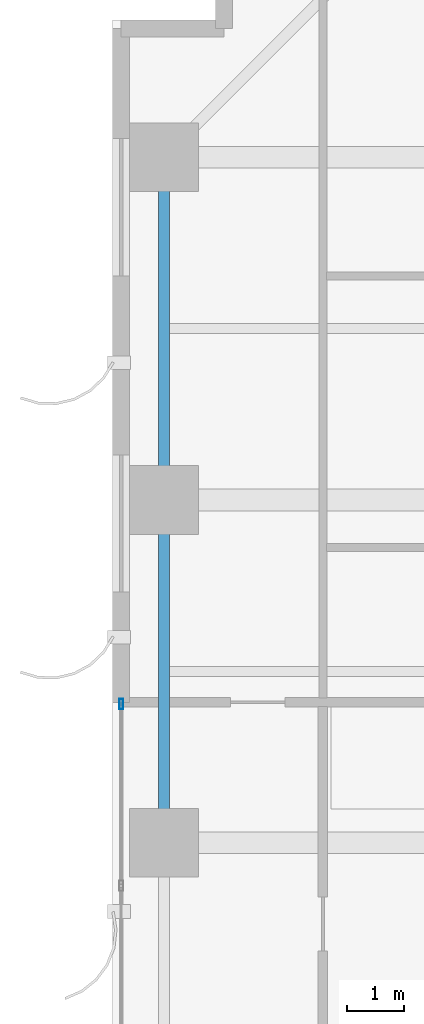
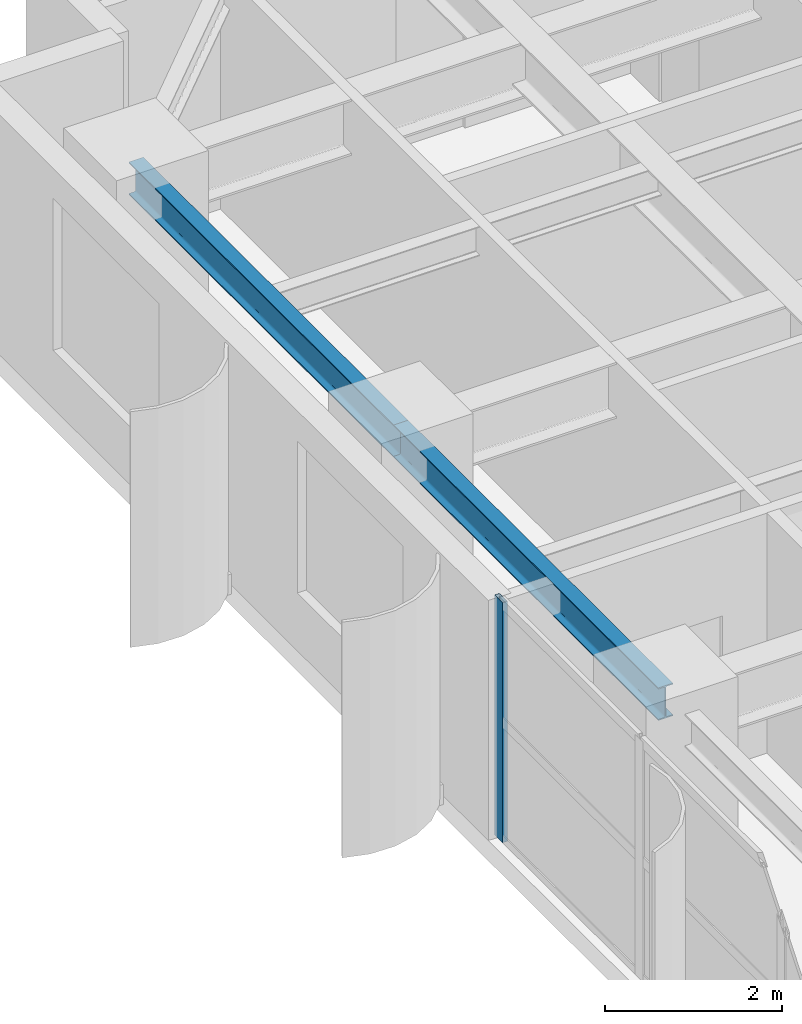
# One storey, part 6 of 18: 2 beams, 1 member, 1 element without a shape of its own.
"""IFC4 building model written with IfcOpenShell, lengths in metres."""

from ifc_helpers import new_model, si_unit, direction, frame, origin, origin_2d, place, context, subcontext, project, spatial, hollow_rectangle, i_section, extrude, source, transform, mapped, material, layer, layer_set, material_profile, profile_set, type_object, element, aggregate, save


model = new_model("IFC4")

# Units and contexts
model_context = context("Model", 3, precision=1e-05, world=origin(), true_north=direction((0.0, 1.0)))
body_context = subcontext(model_context, "Body", "Model", "MODEL_VIEW")
ifc_project = project(units=[si_unit("LENGTHUNIT", "METRE"), si_unit("AREAUNIT", "SQUARE_METRE"), si_unit("VOLUMEUNIT", "CUBIC_METRE"), si_unit("PLANEANGLEUNIT", "RADIAN"), si_unit("MASSUNIT", "GRAM", prefix="KILO")], contexts=[model_context])

# Site, building, storey
site_placement = place(None, origin())
site = spatial("IfcSite", under=ifc_project, at=site_placement, CompositionType="ELEMENT")
building_placement = place(site_placement, origin())
building = spatial("IfcBuilding", under=site, at=building_placement, Name="Khoralis Quay Care Tower", CompositionType="ELEMENT")
storey_placement = place(building_placement, frame((0.0, 0.0, 47.699951171875)))
storey = spatial("IfcBuildingStorey", under=building, at=storey_placement, Name="L12", CompositionType="ELEMENT", Elevation=47.699951171875)

# Beams
ifc_material_1 = material(Name="Steel S355", Category="steel")
ifc_material_profile_1 = material_profile(ifc_material_1, i_section(OverallWidth=0.18994140625, OverallDepth=0.449951171875, WebThickness=0.009521484375, FlangeThickness=0.0146484375, FilletRadius=0.02099609375, at=origin_2d()), Name="Steel S355")
ifc_profile_set_1 = profile_set([ifc_material_profile_1], Name="Steel S355")
beam_type = type_object("IfcBeamType", Name="BM-IPE450", PredefinedType="SPANDREL", material=ifc_profile_set_1)
shared_shape_1 = source(origin(), body_context, "Body", "SweptSolid", [
    extrude(i_section(OverallWidth=0.18994140625, OverallDepth=0.449951171875, WebThickness=0.009521484375, FlangeThickness=0.0146484375, FilletRadius=0.02099609375, at=origin_2d()), origin(), (0.0, 0.0, 1.0), 6.0),
])
for number, where, z_axis, x_axis, name in (
    (1, (0.89990234375, 30.0, 3.094970703125), (0.0, 1.0, 0.0), (-1.0, 0.0, 0.0), "BM-TSP-L12-17"),
    (2, (0.89990234375, 36.0, 3.094970703125), (0.0, 1.0, 0.0), (-1.0, 0.0, 0.0), "BM-TSP-L12-18"),
):
    element("IfcBeam", number, at=place(storey_placement, frame(where, z_axis=z_axis, x_axis=x_axis)), inside=storey, type_object=beam_type, Name=name, PredefinedType="SPANDREL", context=body_context, shape_type="MappedRepresentation", body=[
        mapped(shared_shape_1, transform((0.0, 0.0, 0.0), scale=1.0)),
    ])

# Curtain wall, member
ifc_material_2 = material(Name="Pale anodised aluminium", Category="aluminium")
ifc_layer = layer(ifc_material_2, 0.179931640625)
ifc_layer_set = layer_set([ifc_layer], Name="Pale anodised aluminium")
curtain_wall_type = type_object("IfcCurtainWallType", Name="CW-SYS-Z1", PredefinedType="NOTDEFINED", material=ifc_layer_set)
curtain_wall_placement = place(storey_placement, origin())
curtain_wall = element("IfcCurtainWall", 3, at=curtain_wall_placement, inside=storey, type_object=curtain_wall_type, Name="L12 Unitised Curtain Wall CW-L12-P1-E15", PredefinedType="NOTDEFINED")
ifc_material_profile_2 = material_profile(ifc_material_2, hollow_rectangle(XDim=0.06494140625, YDim=0.179931640625, WallThickness=0.00390625, at=origin_2d()), Name="Pale anodised aluminium")
ifc_profile_set_2 = profile_set([ifc_material_profile_2], Name="Pale anodised aluminium")
member_type = type_object("IfcMemberType", Name="CW-MUL-180", PredefinedType="MULLION", material=ifc_profile_set_2)
shared_shape_2 = source(origin(), body_context, "Body", "SweptSolid", [
    extrude(hollow_rectangle(XDim=0.06494140625, YDim=0.179931640625, WallThickness=0.00390625, at=origin_2d()), origin(), (0.0, 0.0, 1.0), 3.320068359375),
])
member_placement = place(storey_placement, frame((0.14990234375, 32.429931640625, 0.0), z_axis=(0.0, 0.0, 1.0), x_axis=(1.0, 0.0, 0.0)))
member = element("IfcMember", 4, at=member_placement, type_object=member_type, Name="CW1 mullion 1", PredefinedType="MULLION", context=body_context, shape_type="MappedRepresentation", body=[
    mapped(shared_shape_2, transform((0.0, 0.0, 0.0), scale=1.0)),
])
aggregate(curtain_wall, [member])

save(model, "model.ifc")
